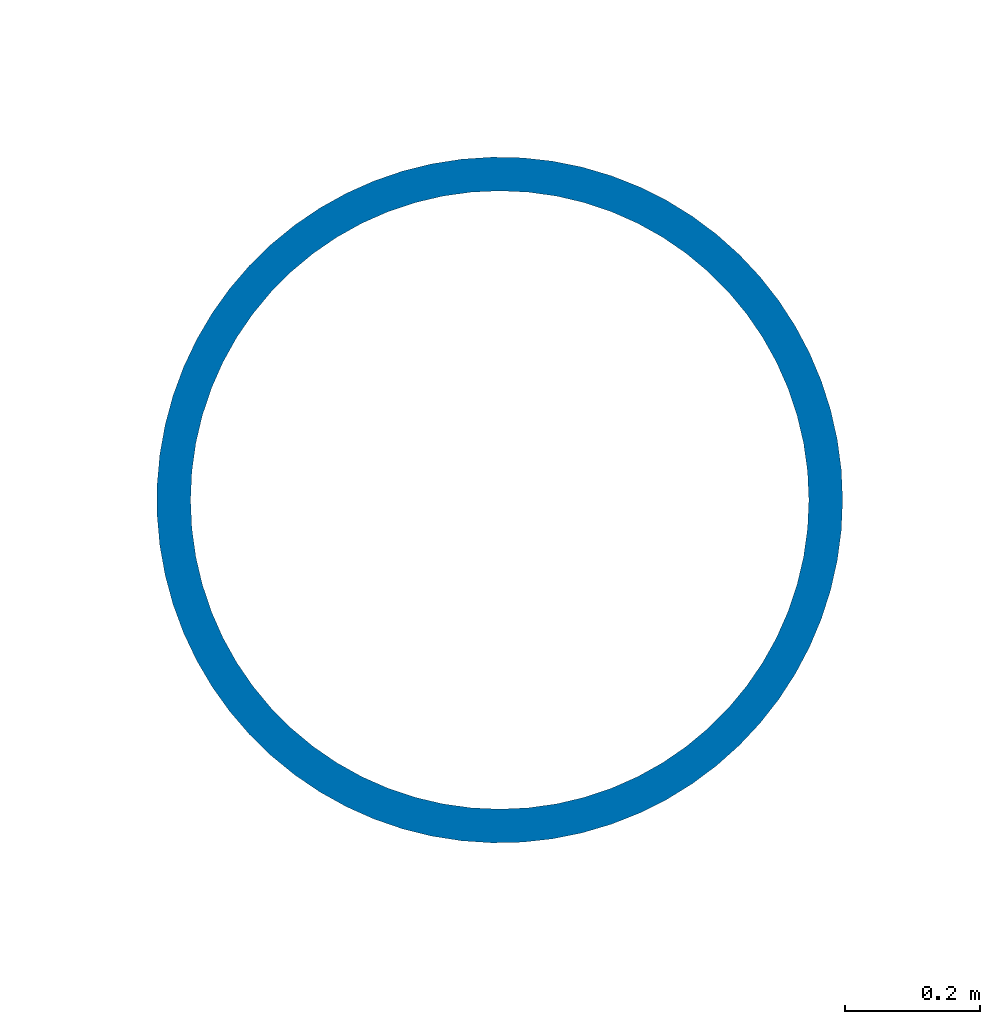
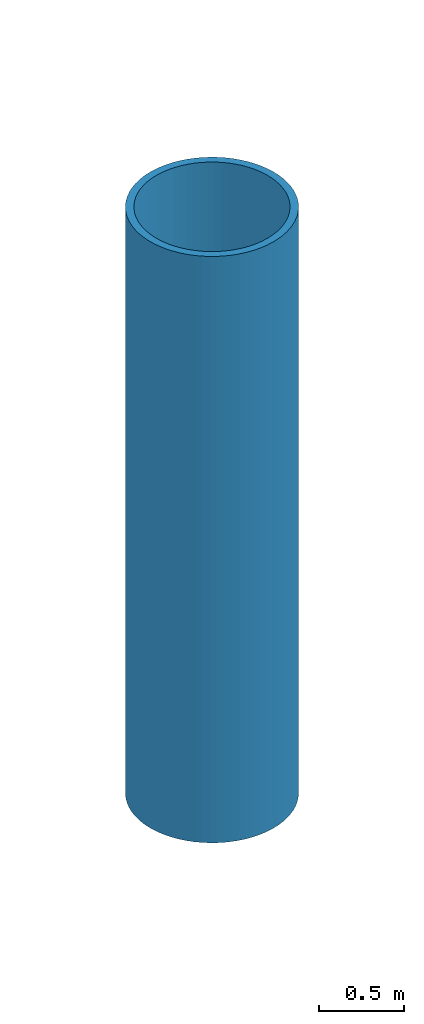
# One storey, part 6 of 96: 1 column.
"""IFC4 building model written with IfcOpenShell, lengths in metres."""

from ifc_helpers import new_model, si_unit, direction, frame, origin, origin_2d, place, context, subcontext, project, spatial, hollow_circle, extrude, material, material_profile, profile_set, type_object, element, save


model = new_model("IFC4")

# Units and contexts
model_context = context("Model", 3, precision=1e-05, world=origin(), true_north=direction((0.0, 1.0)))
body_context = subcontext(model_context, "Body", "Model", "MODEL_VIEW")
ifc_project = project(units=[si_unit("LENGTHUNIT", "METRE"), si_unit("AREAUNIT", "SQUARE_METRE"), si_unit("VOLUMEUNIT", "CUBIC_METRE"), si_unit("PLANEANGLEUNIT", "RADIAN"), si_unit("MASSUNIT", "GRAM", prefix="KILO")], contexts=[model_context])

# Site, building, storey
site_placement = place(None, origin())
site = spatial("IfcSite", under=ifc_project, at=site_placement, CompositionType="ELEMENT")
building_placement = place(site_placement, origin())
building = spatial("IfcBuilding", under=site, at=building_placement, Name="Cresset Court Congress Hotel", CompositionType="ELEMENT")
storey_placement = place(building_placement, frame((0.0, 0.0, 6.0)))
storey = spatial("IfcBuildingStorey", under=building, at=storey_placement, Name="L01", CompositionType="ELEMENT", Elevation=6.0)

# Column
ifc_material = material(Name="Structural steel Q355B", Category="steel")
ifc_material_profile = material_profile(ifc_material, hollow_circle(Radius=0.508056640625, WallThickness=0.050048828125, at=origin_2d()), Name="CHS1016x50")
ifc_profile_set = profile_set([ifc_material_profile], Name="Structural steel Q355B")
column_type = type_object("IfcColumnType", Name="Mast tube 1016x50", PredefinedType="COLUMN", material=ifc_profile_set)
column_placement = place(storey_placement, frame((120.60009765625, 55.800048828125, 0.0), z_axis=(0.0, 0.0, 1.0), x_axis=(1.0, 0.0, 0.0)))
element("IfcColumn", 1, at=column_placement, inside=storey, type_object=column_type, Name="Mast M2", PredefinedType="COLUMN", context=body_context, shape_type="SweptSolid", body=[
    extrude(hollow_circle(Radius=0.508056640625, WallThickness=0.050048828125, at=origin_2d()), origin(), (0.0, 0.0, 1.0), 4.199951171875),
])

save(model, "model.ifc")
